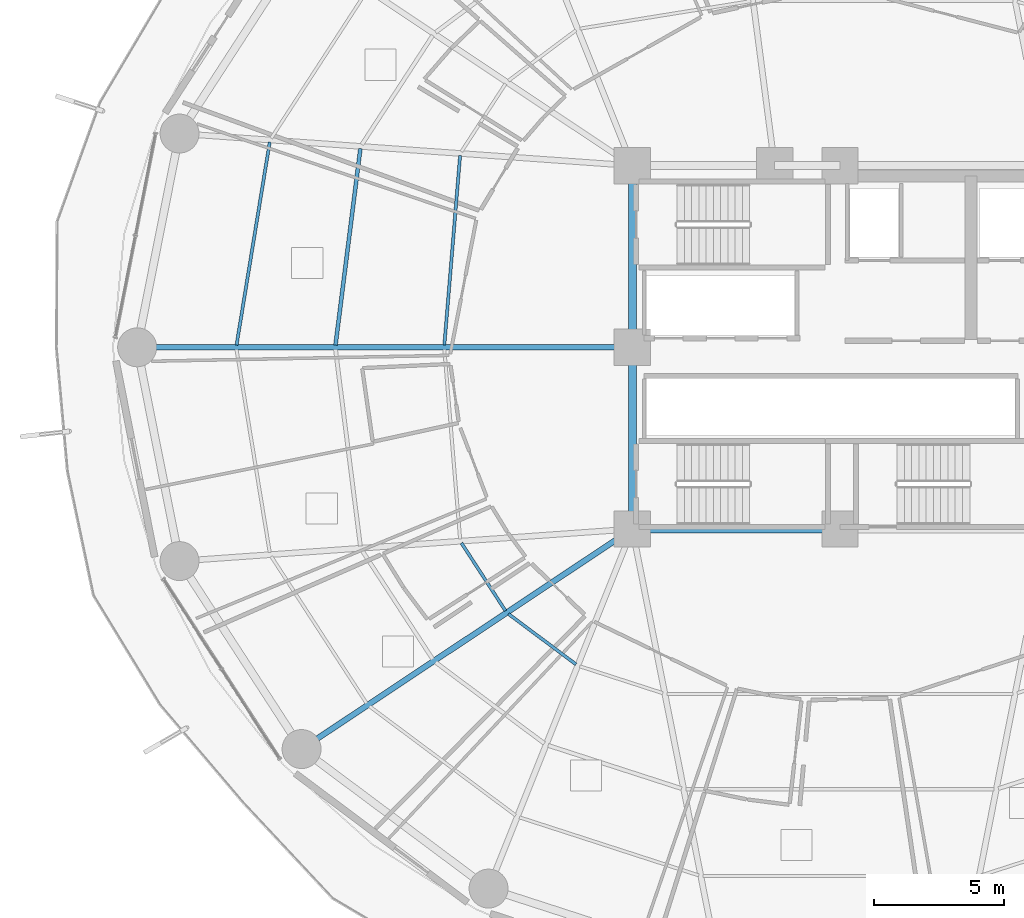
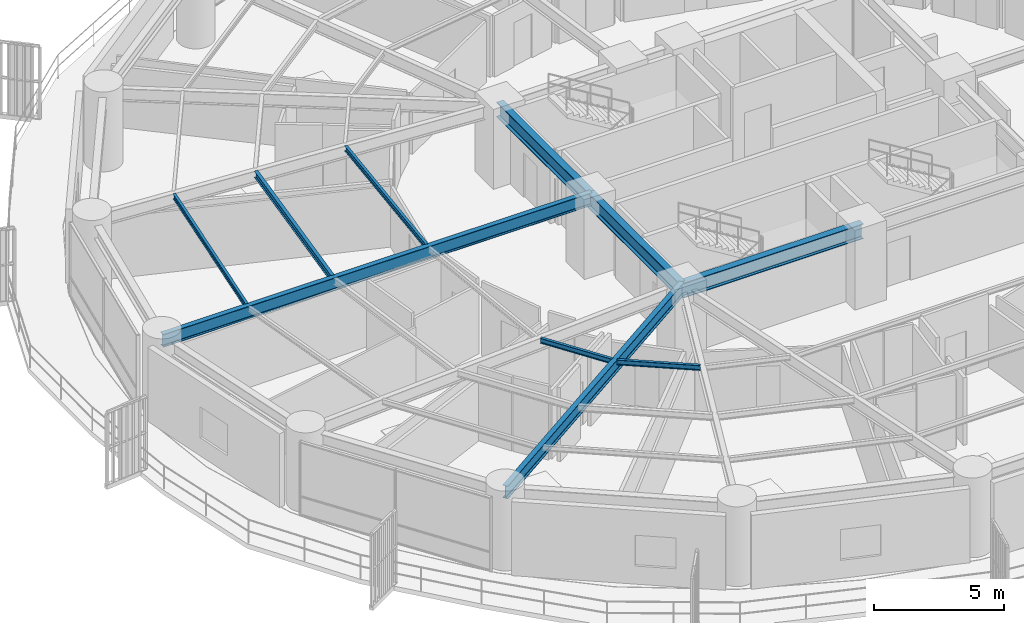
# One storey, part 7 of 33: 10 beams.
"""IFC4 building model written with IfcOpenShell, lengths in metres."""

from ifc_helpers import new_model, si_unit, direction, frame, origin, origin_2d, place, context, subcontext, project, spatial, i_section, extrude, material, material_profile, profile_set, type_object, element, save


model = new_model("IFC4")

# Units and contexts
model_context = context("Model", 3, precision=1e-05, world=origin(), true_north=direction((0.0, 1.0)))
body_context = subcontext(model_context, "Body", "Model", "MODEL_VIEW")
ifc_project = project(units=[si_unit("LENGTHUNIT", "METRE"), si_unit("AREAUNIT", "SQUARE_METRE"), si_unit("VOLUMEUNIT", "CUBIC_METRE"), si_unit("PLANEANGLEUNIT", "RADIAN"), si_unit("MASSUNIT", "GRAM", prefix="KILO")], contexts=[model_context])

# Site, building, storey
site_placement = place(None, origin())
site = spatial("IfcSite", under=ifc_project, at=site_placement, CompositionType="ELEMENT")
building_placement = place(site_placement, origin())
building = spatial("IfcBuilding", under=site, at=building_placement, Name="Kelanora Arch Commons", CompositionType="ELEMENT")
storey_placement = place(building_placement, frame((0.0, 0.0, 41.25)))
storey = spatial("IfcBuildingStorey", under=building, at=storey_placement, Name="L10", CompositionType="ELEMENT", Elevation=41.25)

# Beams
ifc_material = material(Name="Steel S355", Category="steel")
ifc_material_profile_1 = material_profile(ifc_material, i_section(OverallWidth=0.300048828125, OverallDepth=0.699951171875, WebThickness=0.01708984375, FlangeThickness=0.031982421875, FilletRadius=0.027099609375, at=origin_2d()), Name="HEB700")
ifc_profile_set_1 = profile_set([ifc_material_profile_1], Name="Steel S355")
beam_type_1 = type_object("IfcBeamType", Name="BM-CORE-HDR", PredefinedType="BEAM", material=ifc_profile_set_1)
beam_1_placement = place(storey_placement, frame((66.0, 51.0, 3.139892578125), z_axis=(1.0, 0.0, 0.0), x_axis=(0.0, 1.0, 0.0)))
element("IfcBeam", 1, at=beam_1_placement, inside=storey, type_object=beam_type_1, Name="Core Header Beam 01 L10", PredefinedType="BEAM", context=body_context, shape_type="SweptSolid", body=[
    extrude(i_section(OverallWidth=0.300048828125, OverallDepth=0.699951171875, WebThickness=0.01708984375, FlangeThickness=0.031982421875, FilletRadius=0.027099609375, at=origin_2d()), origin(), (0.0, 0.0, 1.0), 8.0),
])
for number, where, z_axis, x_axis, name in (
    (2, (66.0, 65.0, 3.139892578125), (0.0, -1.0, 0.0), (1.0, 0.0, 0.0), "Core Header Beam 08 L10"),
    (3, (66.0, 58.0, 3.139892578125), (0.0, -1.0, 0.0), (1.0, 0.0, 0.0), "Core Header Beam 09 L10"),
):
    element("IfcBeam", number, at=place(storey_placement, frame(where, z_axis=z_axis, x_axis=x_axis)), inside=storey, type_object=beam_type_1, Name=name, PredefinedType="BEAM", context=body_context, shape_type="SweptSolid", body=[
        extrude(i_section(OverallWidth=0.300048828125, OverallDepth=0.699951171875, WebThickness=0.01708984375, FlangeThickness=0.031982421875, FilletRadius=0.027099609375, at=origin_2d()), origin(), (0.0, 0.0, 1.0), 7.0),
    ])
ifc_material_profile_2 = material_profile(ifc_material, i_section(OverallWidth=0.14990234375, OverallDepth=0.300048828125, WebThickness=0.007080078125, FlangeThickness=0.0107421875, FilletRadius=0.014892578125, at=origin_2d()), Name="IPE300")
ifc_profile_set_2 = profile_set([ifc_material_profile_2], Name="Steel S355")
beam_type_2 = type_object("IfcBeamType", Name="BM-JST-01", PredefinedType="JOIST", material=ifc_profile_set_2)
beam_2_placement = place(storey_placement, frame((55.521240234375, 65.6572265625, 3.340087890625), z_axis=(-0.125565841651, -0.992085288375, 0.0), x_axis=(0.992085288375, -0.125565841651, 0.0)))
element("IfcBeam", 4, at=beam_2_placement, inside=storey, type_object=beam_type_2, Name="Secondary Chord Joist BJB-16 L10", PredefinedType="JOIST", context=body_context, shape_type="SweptSolid", body=[
    extrude(i_section(OverallWidth=0.14990234375, OverallDepth=0.300048828125, WebThickness=0.007080078125, FlangeThickness=0.0107421875, FilletRadius=0.014892578125, at=origin_2d()), origin(), (0.0, 0.0, 1.0), 7.63330078125),
])
ifc_material_profile_3 = material_profile(ifc_material, i_section(OverallWidth=0.1201171875, OverallDepth=0.239990234375, WebThickness=0.006103515625, FlangeThickness=0.009765625, FilletRadius=0.014892578125, at=origin_2d()), Name="IPE240")
ifc_profile_set_3 = profile_set([ifc_material_profile_3], Name="Steel S355")
beam_type_3 = type_object("IfcBeamType", Name="BM-JST-02", PredefinedType="JOIST", material=ifc_profile_set_3)
beam_3_placement = place(storey_placement, frame((59.363037109375, 65.385009765625, 3.3701171875), z_axis=(-0.082786209886, -0.996567330115, 0.0), x_axis=(0.996567330115, -0.082786209886, 0.0)))
element("IfcBeam", 5, at=beam_3_placement, inside=storey, type_object=beam_type_3, Name="Secondary Chord Joist BJA-16 L10", PredefinedType="JOIST", context=body_context, shape_type="SweptSolid", body=[
    extrude(i_section(OverallWidth=0.1201171875, OverallDepth=0.239990234375, WebThickness=0.006103515625, FlangeThickness=0.009765625, FilletRadius=0.014892578125, at=origin_2d()), origin(), (0.0, 0.0, 1.0), 7.325439453125),
])
beam_4_placement = place(storey_placement, frame((52.02880859375, 65.90478515625, 3.3701171875), z_axis=(-0.161400737199, -0.986888951216, 0.0), x_axis=(0.986888951216, -0.161400737199, 0.0)))
element("IfcBeam", 6, at=beam_4_placement, inside=storey, type_object=beam_type_3, Name="Secondary Chord Joist BJC-16 L10", PredefinedType="JOIST", context=body_context, shape_type="SweptSolid", body=[
    extrude(i_section(OverallWidth=0.1201171875, OverallDepth=0.239990234375, WebThickness=0.006103515625, FlangeThickness=0.009765625, FilletRadius=0.014892578125, at=origin_2d()), origin(), (0.0, 0.0, 1.0), 7.9248046875),
])
beam_5_placement = place(storey_placement, frame((59.41650390625, 50.458984375, 3.3701171875), z_axis=(0.544591105858, -0.838701691557, 0.0), x_axis=(0.838701691557, 0.544591105858, 0.0)))
element("IfcBeam", 7, at=beam_5_placement, inside=storey, type_object=beam_type_3, Name="Secondary Chord Joist BJA-20 L10", PredefinedType="JOIST", context=body_context, shape_type="SweptSolid", body=[
    extrude(i_section(OverallWidth=0.1201171875, OverallDepth=0.239990234375, WebThickness=0.006103515625, FlangeThickness=0.009765625, FilletRadius=0.014892578125, at=origin_2d()), origin(), (0.0, 0.0, 1.0), 3.111328125),
])
beam_6_placement = place(storey_placement, frame((61.22509765625, 47.727294921875, 3.3701171875), z_axis=(0.801513822608, -0.59797624716, 0.0), x_axis=(0.59797624716, 0.801513822608, 0.0)))
element("IfcBeam", 8, at=beam_6_placement, inside=storey, type_object=beam_type_3, Name="Secondary Chord Joist BJA-22 L10", PredefinedType="JOIST", context=body_context, shape_type="SweptSolid", body=[
    extrude(i_section(OverallWidth=0.1201171875, OverallDepth=0.239990234375, WebThickness=0.006103515625, FlangeThickness=0.009765625, FilletRadius=0.014892578125, at=origin_2d()), origin(), (0.0, 0.0, 1.0), 3.245849609375),
])
ifc_material_profile_4 = material_profile(ifc_material, i_section(OverallWidth=0.219970703125, OverallDepth=0.60009765625, WebThickness=0.011962890625, FlangeThickness=0.01904296875, FilletRadius=0.02392578125, at=origin_2d()), Name="IPE600")
ifc_profile_set_4 = profile_set([ifc_material_profile_4], Name="Steel S355")
beam_type_4 = type_object("IfcBeamType", Name="BM-RAD-Z1", PredefinedType="BEAM", material=ifc_profile_set_4)
beam_7_placement = place(storey_placement, frame((66.0, 58.0, 3.18994140625), z_axis=(-1.0, 0.0, 0.0), x_axis=(0.0, -1.0, 0.0)))
element("IfcBeam", 9, at=beam_7_placement, inside=storey, type_object=beam_type_4, Name="Radial Floor Girder BR-18 L10", PredefinedType="BEAM", context=body_context, shape_type="SweptSolid", body=[
    extrude(i_section(OverallWidth=0.219970703125, OverallDepth=0.60009765625, WebThickness=0.011962890625, FlangeThickness=0.01904296875, FilletRadius=0.02392578125, at=origin_2d()), origin(), (0.0, 0.0, 1.0), 19.080078125),
])
beam_8_placement = place(storey_placement, frame((66.0, 51.0, 3.18994140625), z_axis=(-0.832592187754, -0.553886494591, 0.0), x_axis=(0.553886494591, -0.832592187754, 0.0)))
element("IfcBeam", 10, at=beam_8_placement, inside=storey, type_object=beam_type_4, Name="Radial Floor Girder BR-22 L10", PredefinedType="BEAM", context=body_context, shape_type="SweptSolid", body=[
    extrude(i_section(OverallWidth=0.219970703125, OverallDepth=0.60009765625, WebThickness=0.011962890625, FlangeThickness=0.01904296875, FilletRadius=0.02392578125, at=origin_2d()), origin(), (0.0, 0.0, 1.0), 15.306884765625),
])

save(model, "model.ifc")
